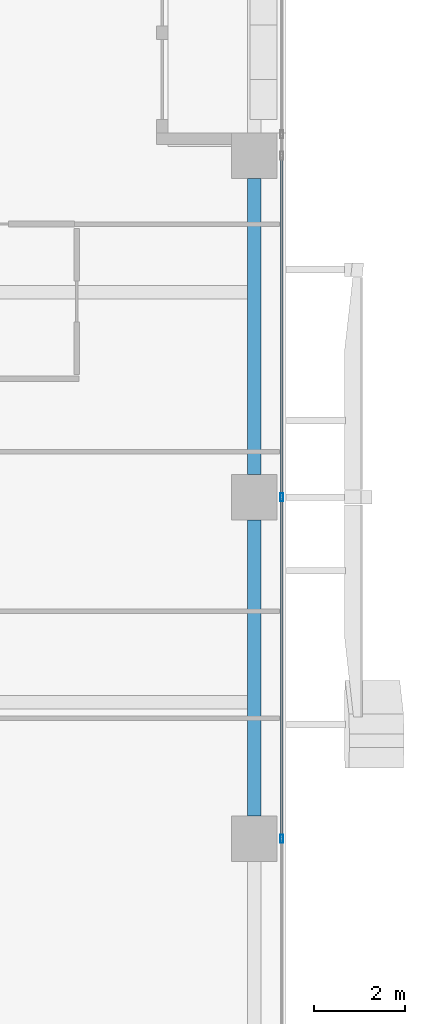
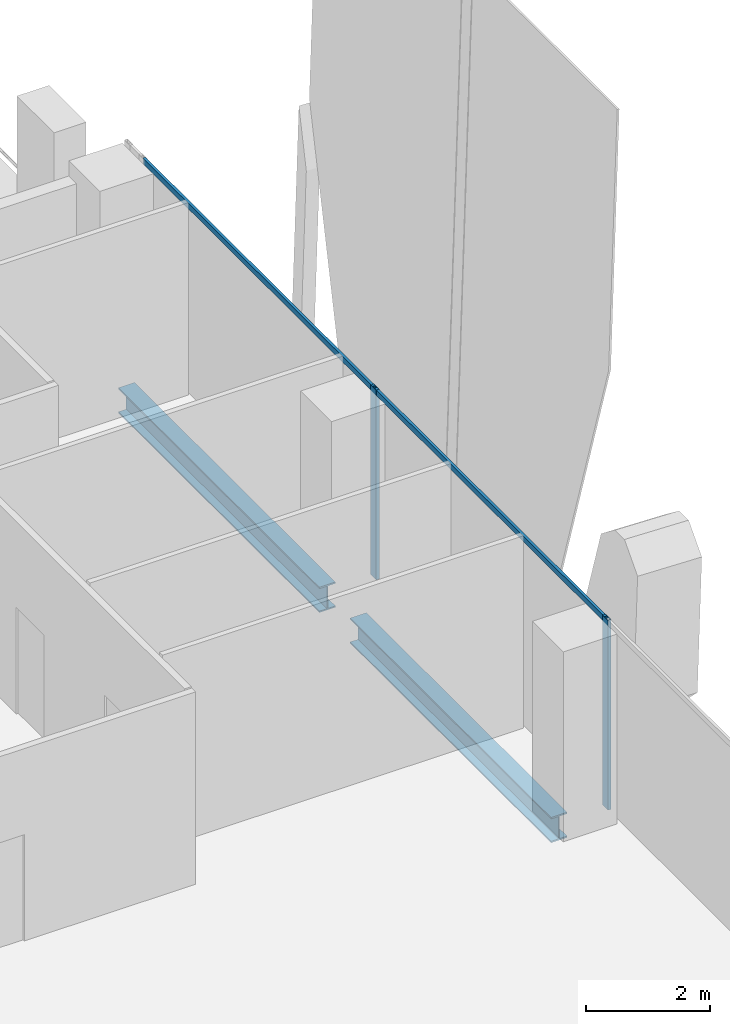
# One storey, part 16 of 40: 4 members, 2 beams, 1 element without a shape of its own.
"""IFC4 building model written with IfcOpenShell, lengths in metres."""

from ifc_helpers import new_model, si_unit, direction, frame, origin, origin_2d, place, context, subcontext, project, spatial, hollow_rectangle, i_section, extrude, source, transform, mapped, material, material_profile, profile_set, type_object, element, aggregate, save


model = new_model("IFC4")

# Units and contexts
model_context = context("Model", 3, precision=1e-05, world=origin(), true_north=direction((0.0, 1.0)))
body_context = subcontext(model_context, "Body", "Model", "MODEL_VIEW")
ifc_project = project(units=[si_unit("LENGTHUNIT", "METRE"), si_unit("AREAUNIT", "SQUARE_METRE"), si_unit("VOLUMEUNIT", "CUBIC_METRE"), si_unit("PLANEANGLEUNIT", "RADIAN"), si_unit("MASSUNIT", "GRAM", prefix="KILO")], contexts=[model_context])

# Site, building, storey
site_placement = place(None, origin())
site = spatial("IfcSite", under=ifc_project, at=site_placement, CompositionType="ELEMENT")
building_placement = place(site_placement, origin())
building = spatial("IfcBuilding", under=site, at=building_placement, Name="Khomas Fold Tower", CompositionType="ELEMENT")
storey_placement = place(building_placement, frame((0.0, 0.0, 176.699951171875)))
storey = spatial("IfcBuildingStorey", under=building, at=storey_placement, Name="L38", CompositionType="ELEMENT", Elevation=176.699951171875)

# Beams
ifc_material_1 = material(Name="Steel S355", Category="steel")
ifc_material_profile_1 = material_profile(ifc_material_1, i_section(OverallWidth=0.300048828125, OverallDepth=0.5, WebThickness=0.014404296875, FlangeThickness=0.028076171875, at=origin_2d()), Name="HE 500 B")
ifc_profile_set_1 = profile_set([ifc_material_profile_1], Name="Steel S355")
beam_type = type_object("IfcBeamType", Name="HE 500 B spandrel SB3", PredefinedType="SPANDREL", material=ifc_profile_set_1)
shared_shape_1 = source(origin(), body_context, "Body", "SweptSolid", [
    extrude(i_section(OverallWidth=0.300048828125, OverallDepth=0.5, WebThickness=0.014404296875, FlangeThickness=0.028076171875, at=origin_2d()), origin(), (0.0, 0.0, 1.0), 6.5),
])
for number, where, z_axis, x_axis, name in (
    (1, (50.300048828125, 20.0, -0.5), (0.0, 1.0, 0.0), (-1.0, 0.0, 0.0), "SB3"),
    (2, (50.300048828125, 27.5, -0.5), (0.0, 1.0, 0.0), (-1.0, 0.0, 0.0), "SB3"),
):
    element("IfcBeam", number, at=place(storey_placement, frame(where, z_axis=z_axis, x_axis=x_axis)), inside=storey, type_object=beam_type, Name=name, PredefinedType="SPANDREL", context=body_context, shape_type="MappedRepresentation", body=[
        mapped(shared_shape_1, transform((0.0, 0.0, 0.0))),
    ])

# Curtain wall, members
ifc_material_2 = material(Name="Aluminium framed double glazing", Category="aluminium")
curtain_wall_type = type_object("IfcCurtainWallType", Name="SK-Unitised clear-glass wall, office floors CW2", PredefinedType="NOTDEFINED", material=ifc_material_2)
curtain_wall_placement = place(storey_placement, origin())
curtain_wall = element("IfcCurtainWall", 3, at=curtain_wall_placement, inside=storey, type_object=curtain_wall_type, Name="CW2 run L38 08-0", PredefinedType="NOTDEFINED")
ifc_material_3 = material(Name="Aluminium", Category="aluminium")
ifc_material_profile_2 = material_profile(ifc_material_3, hollow_rectangle(XDim=0.06005859375, YDim=0.179931640625, WallThickness=0.00390625, at=origin_2d()), Name="SK-Unitised clear-glass wall, office floors mullion CW2-M")
ifc_profile_set_2 = profile_set([ifc_material_profile_2], Name="Aluminium")
member_type_1 = type_object("IfcMemberType", Name="SK-Unitised clear-glass wall, office floors mullion CW2-M", PredefinedType="MULLION", material=ifc_profile_set_2)
shared_shape_2 = source(origin(), body_context, "Body", "SweptSolid", [
    extrude(hollow_rectangle(XDim=0.06005859375, YDim=0.179931640625, WallThickness=0.00390625, at=origin_2d()), origin(), (0.0, 0.0, 1.0), 3.75),
])
member_1_placement = place(storey_placement, frame((50.89990234375, 19.5, 0.0), z_axis=(0.0, 0.0, 1.0), x_axis=(-1.0, 0.0, 0.0)))
member_1 = element("IfcMember", 4, at=member_1_placement, type_object=member_type_1, Name="CW2 mullion 4", PredefinedType="MULLION", context=body_context, shape_type="MappedRepresentation", body=[
    mapped(shared_shape_2, transform((0.0, 0.0, 0.0))),
])
member_2_placement = place(storey_placement, frame((50.89990234375, 27.0, 0.0), z_axis=(0.0, 0.0, 1.0), x_axis=(-1.0, 0.0, 0.0)))
member_2 = element("IfcMember", 5, at=member_2_placement, type_object=member_type_1, Name="CW2 mullion 5", PredefinedType="MULLION", context=body_context, shape_type="MappedRepresentation", body=[
    mapped(shared_shape_2, transform((0.0, 0.0, 0.0))),
])
ifc_material_4 = material(Name="Aluminium", Category="aluminium")
ifc_material_profile_3 = material_profile(ifc_material_4, hollow_rectangle(XDim=0.050048828125, YDim=0.110107421875, WallThickness=0.00390625, at=origin_2d()), Name="SK-Unitised clear-glass wall, office floors transom CW2-T")
ifc_profile_set_3 = profile_set([ifc_material_profile_3], Name="Aluminium")
member_type_2 = type_object("IfcMemberType", Name="SK-Unitised clear-glass wall, office floors transom CW2-T", PredefinedType="USERDEFINED", material=ifc_profile_set_3)
shared_shape_3 = source(origin(), body_context, "Body", "SweptSolid", [
    extrude(hollow_rectangle(XDim=0.050048828125, YDim=0.110107421875, WallThickness=0.00390625, at=origin_2d()), origin(), (0.0, 0.0, 1.0), 7.43994140625),
])
member_3_placement = place(storey_placement, frame((50.89990234375, 19.530029296875, 3.695068359375), z_axis=(0.0, 1.0, 0.0), x_axis=(-1.0, 0.0, 0.0)))
member_3 = element("IfcMember", 6, at=member_3_placement, type_object=member_type_2, Name="CW2 transom 4", ObjectType="TRANSOM", PredefinedType="USERDEFINED", context=body_context, shape_type="MappedRepresentation", body=[
    mapped(shared_shape_3, transform((0.0, 0.0, 0.0))),
])
member_4_placement = place(storey_placement, frame((50.89990234375, 27.030029296875, 3.695068359375), z_axis=(0.0, 1.0, 0.0), x_axis=(-1.0, 0.0, 0.0)))
member_4 = element("IfcMember", 7, at=member_4_placement, type_object=member_type_2, Name="CW2 transom 5", ObjectType="TRANSOM", PredefinedType="USERDEFINED", context=body_context, shape_type="MappedRepresentation", body=[
    mapped(shared_shape_3, transform((0.0, 0.0, 0.0))),
])
aggregate(curtain_wall, [member_1, member_2, member_3, member_4])

save(model, "model.ifc")
